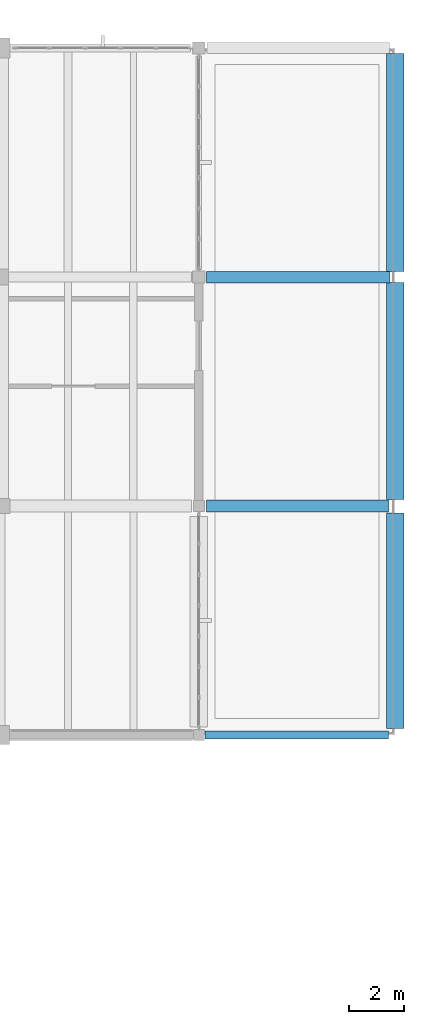
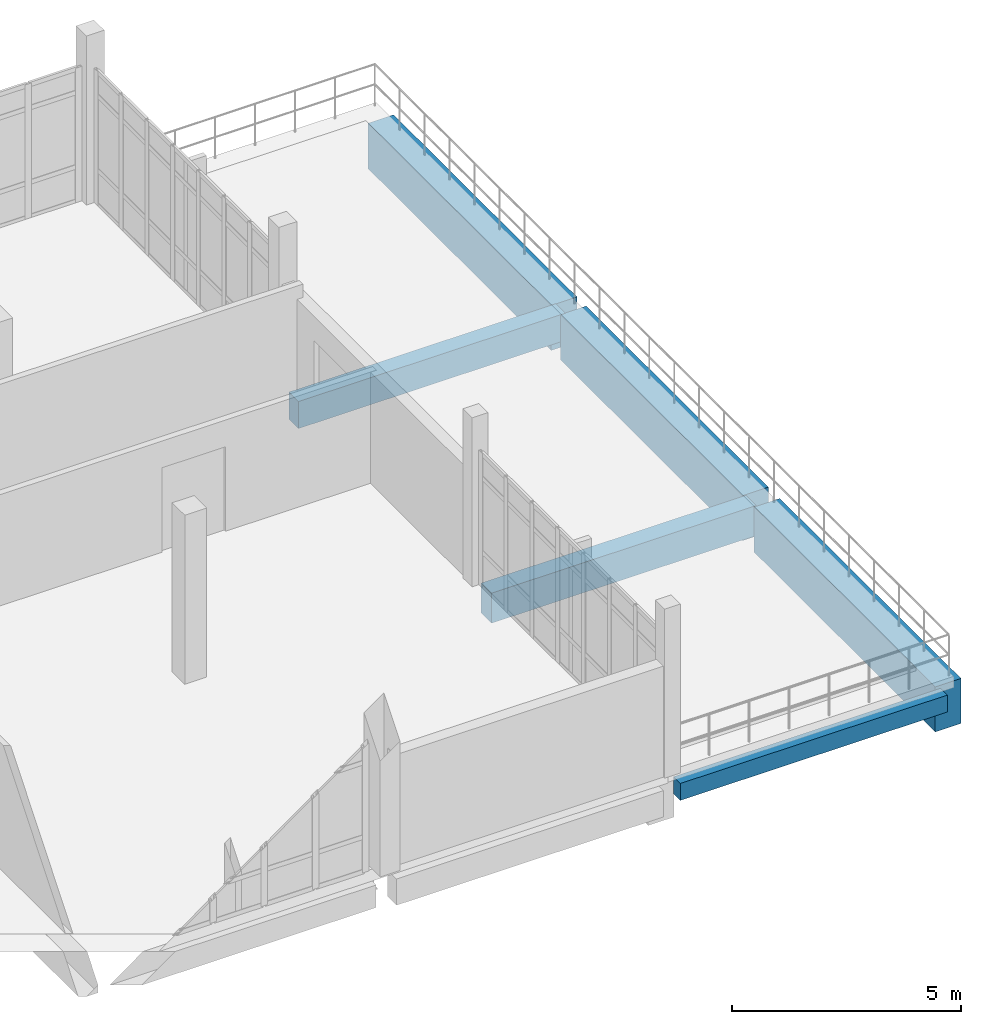
# One storey, part 41 of 62: 6 beams.
"""IFC4 building model written with IfcOpenShell, lengths in metres."""

from ifc_helpers import new_model, si_unit, direction, frame, origin, origin_2d, place, context, subcontext, project, spatial, rectangle, extrude, material, material_profile, profile_set, type_object, element, save


model = new_model("IFC4")

# Units and contexts
model_context = context("Model", 3, precision=1e-05, world=origin(), true_north=direction((0.0, 1.0)))
body_context = subcontext(model_context, "Body", "Model", "MODEL_VIEW")
ifc_project = project(units=[si_unit("LENGTHUNIT", "METRE"), si_unit("AREAUNIT", "SQUARE_METRE"), si_unit("VOLUMEUNIT", "CUBIC_METRE"), si_unit("PLANEANGLEUNIT", "RADIAN"), si_unit("MASSUNIT", "GRAM", prefix="KILO")], contexts=[model_context])

# Site, building, storey
site_placement = place(None, origin())
site = spatial("IfcSite", under=ifc_project, at=site_placement, CompositionType="ELEMENT")
building_placement = place(site_placement, origin())
building = spatial("IfcBuilding", under=site, at=building_placement, Name="Kalluvel Institute of Natural Sciences", CompositionType="ELEMENT")
storey_placement = place(building_placement, frame((0.0, 0.0, 27.89990234375)))
storey = spatial("IfcBuildingStorey", under=building, at=storey_placement, Name="L06", CompositionType="ELEMENT", Elevation=27.89990234375)

# Beams
ifc_material_1 = material(Name="Concrete M40", Category="concrete")
ifc_material_profile_1 = material_profile(ifc_material_1, rectangle(XDim=0.419921875, YDim=0.719970703125, at=origin_2d()), Name="RCB 420x720")
ifc_profile_set_1 = profile_set([ifc_material_profile_1], Name="Concrete M40")
beam_type_1 = type_object("IfcBeamType", Name="BM-RC420x720", PredefinedType="BEAM", material=ifc_profile_set_1)
beam_1_placement = place(storey_placement, frame((107.875, 119.60009765625, -0.679931640625), z_axis=(1.0, 0.0, 0.0), x_axis=(0.0, 1.0, 0.0)))
element("IfcBeam", 1, at=beam_1_placement, inside=storey, type_object=beam_type_1, Name="L06 girder GIR-L06-EW-X1076-Y1196", PredefinedType="BEAM", context=body_context, shape_type="SweptSolid", body=[
    extrude(rectangle(XDim=0.419921875, YDim=0.719970703125, at=origin_2d()), origin(), (0.0, 0.0, 1.0), 6.72509765625),
])
ifc_material_profile_2 = material_profile(ifc_material_1, rectangle(XDim=0.449951171875, YDim=0.800048828125, at=origin_2d()), Name="RCB 450x800")
ifc_profile_set_2 = profile_set([ifc_material_profile_2], Name="Concrete M40")
beam_type_2 = type_object("IfcBeamType", Name="BM-RC450x800", PredefinedType="BEAM", material=ifc_profile_set_2)
beam_2_placement = place(storey_placement, frame((107.875, 111.199951171875, -0.719970703125), z_axis=(1.0, 0.0, 0.0), x_axis=(0.0, 1.0, 0.0)))
element("IfcBeam", 2, at=beam_2_placement, inside=storey, type_object=beam_type_2, Name="L06 girder GIR-L06-EW-X1076-Y1112", PredefinedType="BEAM", context=body_context, shape_type="SweptSolid", body=[
    extrude(rectangle(XDim=0.449951171875, YDim=0.800048828125, at=origin_2d()), origin(), (0.0, 0.0, 1.0), 6.675048828125),
])
ifc_material_2 = material(Name="Concrete M50", Category="concrete")
ifc_material_profile_3 = material_profile(ifc_material_2, rectangle(XDim=0.64990234375, YDim=1.199951171875, at=origin_2d()), Name="RCB 650x1200")
ifc_profile_set_3 = profile_set([ifc_material_profile_3], Name="Concrete M50")
beam_type_3 = type_object("IfcBeamType", Name="BM-RC650x1200", PredefinedType="BEAM", material=ifc_profile_set_3)
beam_3_placement = place(storey_placement, frame((114.800048828125, 103.050048828125, -0.919921875), z_axis=(0.0, 1.0, 0.0), x_axis=(-1.0, 0.0, 0.0)))
element("IfcBeam", 3, at=beam_3_placement, inside=storey, type_object=beam_type_3, Name="L06 girder GIR-L06-NS-X1148-Y1028", PredefinedType="BEAM", context=body_context, shape_type="SweptSolid", body=[
    extrude(rectangle(XDim=0.64990234375, YDim=1.199951171875, at=origin_2d()), origin(), (0.0, 0.0, 1.0), 7.89990234375),
])
beam_4_placement = place(storey_placement, frame((114.800048828125, 111.449951171875, -0.919921875), z_axis=(0.0, 1.0, 0.0), x_axis=(-1.0, 0.0, 0.0)))
element("IfcBeam", 4, at=beam_4_placement, inside=storey, type_object=beam_type_3, Name="L06 girder GIR-L06-NS-X1148-Y1112", PredefinedType="BEAM", context=body_context, shape_type="SweptSolid", body=[
    extrude(rectangle(XDim=0.64990234375, YDim=1.199951171875, at=origin_2d()), origin(), (0.0, 0.0, 1.0), 7.949951171875),
])
beam_5_placement = place(storey_placement, frame((114.800048828125, 119.800048828125, -0.919921875), z_axis=(0.0, 1.0, 0.0), x_axis=(-1.0, 0.0, 0.0)))
element("IfcBeam", 5, at=beam_5_placement, inside=storey, type_object=beam_type_3, Name="L06 girder GIR-L06-NS-X1148-Y1196", PredefinedType="BEAM", context=body_context, shape_type="SweptSolid", body=[
    extrude(rectangle(XDim=0.64990234375, YDim=1.199951171875, at=origin_2d()), origin(), (0.0, 0.0, 1.0), 8.0),
])
ifc_material_profile_4 = material_profile(ifc_material_1, rectangle(XDim=0.300048828125, YDim=0.449951171875, at=origin_2d()), Name="RCB 300x450")
ifc_profile_set_4 = profile_set([ifc_material_profile_4], Name="Concrete M40")
beam_type_4 = type_object("IfcBeamType", Name="SP-RC300x450", PredefinedType="SPANDREL", material=ifc_profile_set_4)
beam_6_placement = place(storey_placement, frame((107.824951171875, 102.800048828125, -0.544921875), z_axis=(1.0, 0.0, 0.0), x_axis=(0.0, 1.0, 0.0)))
element("IfcBeam", 6, at=beam_6_placement, inside=storey, type_object=beam_type_4, Name="L06 girder GIR-L06-EW-X1076-Y1028", PredefinedType="SPANDREL", context=body_context, shape_type="SweptSolid", body=[
    extrude(rectangle(XDim=0.300048828125, YDim=0.449951171875, at=origin_2d()), origin(), (0.0, 0.0, 1.0), 6.72509765625),
])

save(model, "model.ifc")
